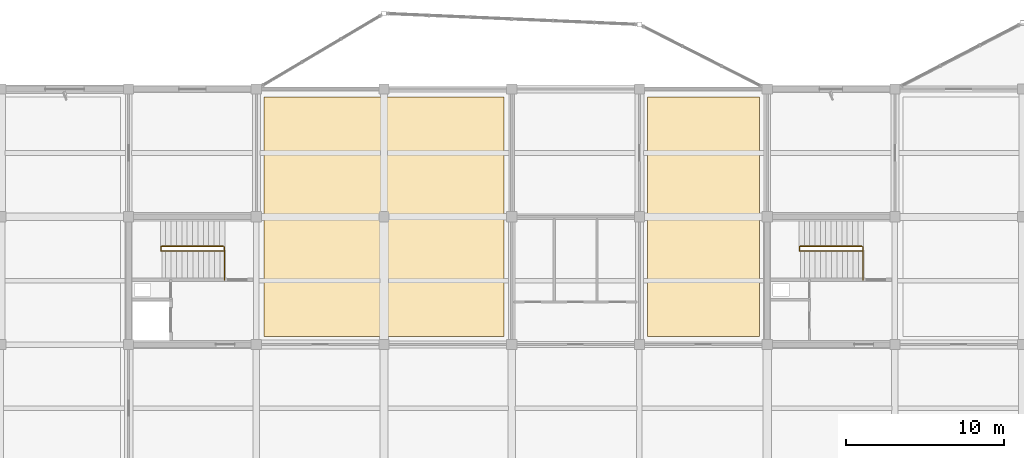
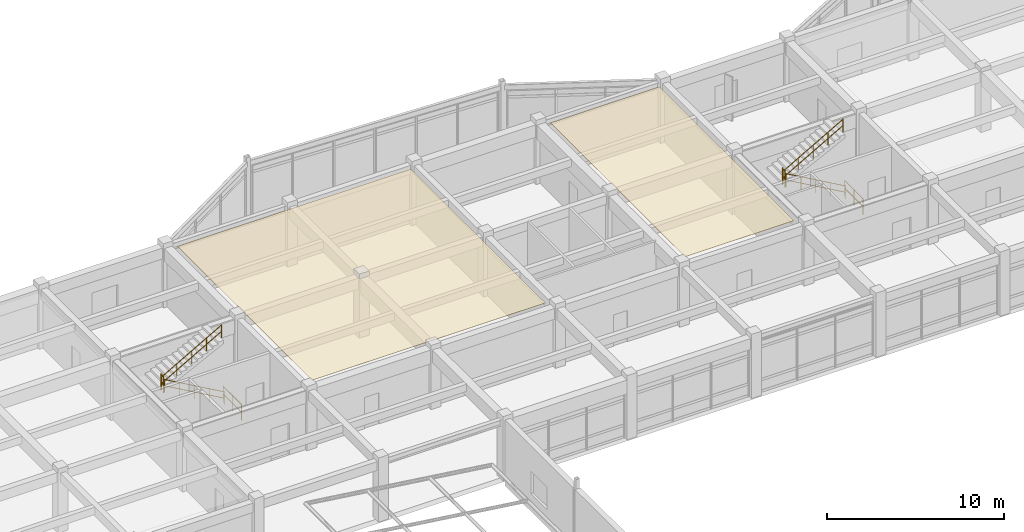
# One storey, part 84 of 89: 8 railings, 2 coverings.
"""IFC4 building model written with IfcOpenShell, lengths in metres."""

from ifc_helpers import new_model, si_unit, direction, frame, origin, origin_2d, place, context, subcontext, project, spatial, polyline, circle, outline, extrude, material, layer, layer_set, type_object, element, save


model = new_model("IFC4")

# Units and contexts
model_context = context("Model", 3, precision=1e-05, world=origin(), true_north=direction((0.0, 1.0)))
body_context = subcontext(model_context, "Body", "Model", "MODEL_VIEW")
ifc_project = project(units=[si_unit("LENGTHUNIT", "METRE"), si_unit("AREAUNIT", "SQUARE_METRE"), si_unit("VOLUMEUNIT", "CUBIC_METRE"), si_unit("PLANEANGLEUNIT", "RADIAN"), si_unit("MASSUNIT", "GRAM", prefix="KILO")], contexts=[model_context])

# Site, building, storey
site_placement = place(None, origin())
site = spatial("IfcSite", under=ifc_project, at=site_placement, CompositionType="ELEMENT")
building_placement = place(site_placement, origin())
building = spatial("IfcBuilding", under=site, at=building_placement, Name="Vaudrelin Polytechnic", CompositionType="ELEMENT")
storey_placement = place(building_placement, frame((0.0, 0.0, 9.68994140625)))
storey = spatial("IfcBuildingStorey", under=building, at=storey_placement, Name="L02", CompositionType="ELEMENT", Elevation=9.68994140625)

# Coverings
ifc_material_1 = material(Name="Mineral-fibre acoustic ceiling tile NRC 0.85", Category="ceiling")
ifc_layer = layer(ifc_material_1, 0.02490234375)
ifc_layer_set = layer_set([ifc_layer], Name="Mineral-fibre acoustic ceiling tile NRC 0.85")
covering_type = type_object("IfcCoveringType", Name="COV-CLG-ACT", PredefinedType="CEILING", material=ifc_layer_set)
covering_1_placement = place(storey_placement, frame((0.0, 0.0, 4.05517578125)))
element("IfcCovering", 1, at=covering_1_placement, inside=storey, type_object=covering_type, Name="Acoustic ceiling L02-008", PredefinedType="CEILING", context=body_context, shape_type="SweptSolid", body=[
    extrude(outline(polyline([(24.800048828125, 105.800048828125), (40.0, 105.800048828125), (40.0, 121.0), (24.800048828125, 121.0), (24.800048828125, 105.800048828125)])), origin(), (0.0, 0.0, 1.0), 0.02490234375),
])
covering_2_placement = place(storey_placement, frame((0.0, 0.0, 4.05517578125)))
element("IfcCovering", 2, at=covering_2_placement, inside=storey, type_object=covering_type, Name="Acoustic ceiling L02-009", PredefinedType="CEILING", context=body_context, shape_type="SweptSolid", body=[
    extrude(outline(polyline([(49.10009765625, 105.800048828125), (56.199951171875, 105.800048828125), (56.199951171875, 121.0), (49.10009765625, 121.0), (49.10009765625, 105.800048828125)])), origin(), (0.0, 0.0, 1.0), 0.02490234375),
])

# Railings
ifc_material_2 = material(Name="Brushed stainless steel AISI 304", Category="steel")
railing_type_1 = type_object("IfcRailingType", Name="RAL-GR-INT", PredefinedType="GUARDRAIL", material=ifc_material_2)
railing_1_placement = place(storey_placement, frame((22.280029296875, 109.409912109375, 0.0)))
element("IfcRailing", 3, at=railing_1_placement, inside=storey, type_object=railing_type_1, Name="ST-01-L01 upper well guardrail", PredefinedType="GUARDRAIL", context=body_context, shape_type="SweptSolid", body=[
    extrude(circle(Radius=0.02392578125, at=origin_2d()), frame((0.0, 0.023193359375, 1.09619140625), z_axis=(0.0, 1.0, 0.0), x_axis=(-1.0, 0.0, 0.0)), (0.0, 0.0, 1.0), 2.02392578125),
    extrude(circle(Radius=0.02392578125, at=origin_2d()), frame((0.0, 0.023193359375, 0.56005859375), z_axis=(0.0, 1.0, 0.0), x_axis=(-1.0, 0.0, 0.0)), (0.0, 0.0, 1.0), 2.02392578125),
    extrude(circle(Radius=0.02099609375, at=origin_2d()), origin(), (0.0, 0.0, 1.0), 1.1201171875),
    extrude(circle(Radius=0.02099609375, at=origin_2d()), frame((0.0, 1.03515625, 0.0)), (0.0, 0.0, 1.0), 1.1201171875),
    extrude(circle(Radius=0.02099609375, at=origin_2d()), frame((0.0, 2.070068359375, 0.0)), (0.0, 0.0, 1.0), 1.1201171875),
])
railing_2_placement = place(storey_placement, frame((18.25, 111.239990234375, 2.2099609375)))
element("IfcRailing", 4, at=railing_2_placement, inside=storey, type_object=railing_type_1, Name="ST-01-L02 landing well guardrail", PredefinedType="GUARDRAIL", context=body_context, shape_type="SweptSolid", body=[
    extrude(circle(Radius=0.02392578125, at=origin_2d()), frame((0.0, 0.023193359375, 1.09619140625), z_axis=(0.0, 1.0, 0.0), x_axis=(-1.0, 0.0, 0.0)), (0.0, 0.0, 1.0), 0.23388671875),
    extrude(circle(Radius=0.02392578125, at=origin_2d()), frame((0.0, 0.023193359375, 0.56005859375), z_axis=(0.0, 1.0, 0.0), x_axis=(-1.0, 0.0, 0.0)), (0.0, 0.0, 1.0), 0.23388671875),
    extrude(circle(Radius=0.02099609375, at=origin_2d()), origin(), (0.0, 0.0, 1.0), 1.1201171875),
    extrude(circle(Radius=0.02099609375, at=origin_2d()), frame((0.0, 0.280029296875, 0.0)), (0.0, 0.0, 1.0), 1.1201171875),
])
railing_3_placement = place(storey_placement, frame((62.780029296875, 109.409912109375, 0.0)))
element("IfcRailing", 5, at=railing_3_placement, inside=storey, type_object=railing_type_1, Name="ST-09-L01 upper well guardrail", PredefinedType="GUARDRAIL", context=body_context, shape_type="SweptSolid", body=[
    extrude(circle(Radius=0.02392578125, at=origin_2d()), frame((0.0, 0.023193359375, 1.09619140625), z_axis=(0.0, 1.0, 0.0), x_axis=(-1.0, 0.0, 0.0)), (0.0, 0.0, 1.0), 2.02392578125),
    extrude(circle(Radius=0.02392578125, at=origin_2d()), frame((0.0, 0.023193359375, 0.56005859375), z_axis=(0.0, 1.0, 0.0), x_axis=(-1.0, 0.0, 0.0)), (0.0, 0.0, 1.0), 2.02392578125),
    extrude(circle(Radius=0.02099609375, at=origin_2d()), origin(), (0.0, 0.0, 1.0), 1.1201171875),
    extrude(circle(Radius=0.02099609375, at=origin_2d()), frame((0.0, 1.03515625, 0.0)), (0.0, 0.0, 1.0), 1.1201171875),
    extrude(circle(Radius=0.02099609375, at=origin_2d()), frame((0.0, 2.070068359375, 0.0)), (0.0, 0.0, 1.0), 1.1201171875),
])
railing_4_placement = place(storey_placement, frame((58.75, 111.239990234375, 2.2099609375)))
element("IfcRailing", 6, at=railing_4_placement, inside=storey, type_object=railing_type_1, Name="ST-09-L02 landing well guardrail", PredefinedType="GUARDRAIL", context=body_context, shape_type="SweptSolid", body=[
    extrude(circle(Radius=0.02392578125, at=origin_2d()), frame((0.0, 0.023193359375, 1.09619140625), z_axis=(0.0, 1.0, 0.0), x_axis=(-1.0, 0.0, 0.0)), (0.0, 0.0, 1.0), 0.23388671875),
    extrude(circle(Radius=0.02392578125, at=origin_2d()), frame((0.0, 0.023193359375, 0.56005859375), z_axis=(0.0, 1.0, 0.0), x_axis=(-1.0, 0.0, 0.0)), (0.0, 0.0, 1.0), 0.23388671875),
    extrude(circle(Radius=0.02099609375, at=origin_2d()), origin(), (0.0, 0.0, 1.0), 1.1201171875),
    extrude(circle(Radius=0.02099609375, at=origin_2d()), frame((0.0, 0.280029296875, 0.0)), (0.0, 0.0, 1.0), 1.1201171875),
])
railing_type_2 = type_object("IfcRailingType", Name="RAL-HR-STR", PredefinedType="HANDRAIL", material=ifc_material_2)
railing_5_placement = place(storey_placement, frame((22.199951171875, 111.22998046875, 0.0)))
element("IfcRailing", 7, at=railing_5_placement, inside=storey, type_object=railing_type_2, Name="ST-01-L02 flight 1 handrail", PredefinedType="HANDRAIL", context=body_context, shape_type="SweptSolid", body=[
    extrude(circle(Radius=0.02392578125, at=origin_2d()), frame((-0.02001953125, 0.0, 0.9072265625), z_axis=(-0.86947626696, 0.0, 0.493974717161), x_axis=(0.0, -1.0, 0.0)), (0.0, 0.0, 1.0), 4.427734375),
    extrude(circle(Radius=0.02392578125, at=origin_2d()), frame((-0.02001953125, 0.0, 0.471435546875), z_axis=(-0.86947626696, 0.0, 0.493974717161), x_axis=(0.0, -1.0, 0.0)), (0.0, 0.0, 1.0), 4.427734375),
    extrude(circle(Radius=0.02099609375, at=origin_2d()), origin(), (0.0, 0.0, 1.0), 0.919921875),
    extrude(circle(Radius=0.02099609375, at=origin_2d()), frame((-0.972412109375, 0.0, 0.552490234375)), (0.0, 0.0, 1.0), 0.919921875),
    extrude(circle(Radius=0.02099609375, at=origin_2d()), frame((-1.94482421875, 0.0, 1.10498046875)), (0.0, 0.0, 1.0), 0.919921875),
    extrude(circle(Radius=0.02099609375, at=origin_2d()), frame((-2.91748046875, 0.0, 1.657470703125)), (0.0, 0.0, 1.0), 0.919921875),
    extrude(circle(Radius=0.02099609375, at=origin_2d()), frame((-3.889892578125, 0.0, 2.2099609375)), (0.0, 0.0, 1.0), 0.919921875),
])
railing_6_placement = place(storey_placement, frame((18.31005859375, 111.530029296875, 2.2099609375)))
element("IfcRailing", 8, at=railing_6_placement, inside=storey, type_object=railing_type_2, Name="ST-01-L02 flight 2 handrail", PredefinedType="HANDRAIL", context=body_context, shape_type="SweptSolid", body=[
    extrude(circle(Radius=0.02392578125, at=origin_2d()), frame((0.02001953125, 0.0, 0.9072265625), z_axis=(0.869452828501, 0.0, 0.494015970402), x_axis=(0.0, 1.0, 0.0)), (0.0, 0.0, 1.0), 4.427734375),
    extrude(circle(Radius=0.02392578125, at=origin_2d()), frame((0.02001953125, 0.0, 0.471435546875), z_axis=(0.869452828501, 0.0, 0.494015970402), x_axis=(0.0, 1.0, 0.0)), (0.0, 0.0, 1.0), 4.427734375),
    extrude(circle(Radius=0.02099609375, at=origin_2d()), origin(), (0.0, 0.0, 1.0), 0.919921875),
    extrude(circle(Radius=0.02099609375, at=origin_2d()), frame((0.972412109375, 0.0, 0.552490234375)), (0.0, 0.0, 1.0), 0.919921875),
    extrude(circle(Radius=0.02099609375, at=origin_2d()), frame((1.94482421875, 0.0, 1.10498046875)), (0.0, 0.0, 1.0), 0.919921875),
    extrude(circle(Radius=0.02099609375, at=origin_2d()), frame((2.91748046875, 0.0, 1.65771484375)), (0.0, 0.0, 1.0), 0.919921875),
    extrude(circle(Radius=0.02099609375, at=origin_2d()), frame((3.889892578125, 0.0, 2.210205078125)), (0.0, 0.0, 1.0), 0.919921875),
])
railing_7_placement = place(storey_placement, frame((62.699951171875, 111.22998046875, 0.0)))
element("IfcRailing", 9, at=railing_7_placement, inside=storey, type_object=railing_type_2, Name="ST-09-L02 flight 1 handrail", PredefinedType="HANDRAIL", context=body_context, shape_type="SweptSolid", body=[
    extrude(circle(Radius=0.02392578125, at=origin_2d()), frame((-0.02001953125, 0.0, 0.9072265625), z_axis=(-0.86947626696, 0.0, 0.493974717161), x_axis=(0.0, -1.0, 0.0)), (0.0, 0.0, 1.0), 4.427734375),
    extrude(circle(Radius=0.02392578125, at=origin_2d()), frame((-0.02001953125, 0.0, 0.471435546875), z_axis=(-0.86947626696, 0.0, 0.493974717161), x_axis=(0.0, -1.0, 0.0)), (0.0, 0.0, 1.0), 4.427734375),
    extrude(circle(Radius=0.02099609375, at=origin_2d()), origin(), (0.0, 0.0, 1.0), 0.919921875),
    extrude(circle(Radius=0.02099609375, at=origin_2d()), frame((-0.972412109375, 0.0, 0.552490234375)), (0.0, 0.0, 1.0), 0.919921875),
    extrude(circle(Radius=0.02099609375, at=origin_2d()), frame((-1.94482421875, 0.0, 1.10498046875)), (0.0, 0.0, 1.0), 0.919921875),
    extrude(circle(Radius=0.02099609375, at=origin_2d()), frame((-2.91748046875, 0.0, 1.657470703125)), (0.0, 0.0, 1.0), 0.919921875),
    extrude(circle(Radius=0.02099609375, at=origin_2d()), frame((-3.889892578125, 0.0, 2.2099609375)), (0.0, 0.0, 1.0), 0.919921875),
])
railing_8_placement = place(storey_placement, frame((58.81005859375, 111.530029296875, 2.2099609375)))
element("IfcRailing", 10, at=railing_8_placement, inside=storey, type_object=railing_type_2, Name="ST-09-L02 flight 2 handrail", PredefinedType="HANDRAIL", context=body_context, shape_type="SweptSolid", body=[
    extrude(circle(Radius=0.02392578125, at=origin_2d()), frame((0.02001953125, 0.0, 0.9072265625), z_axis=(0.869452828501, 0.0, 0.494015970402), x_axis=(0.0, 1.0, 0.0)), (0.0, 0.0, 1.0), 4.427734375),
    extrude(circle(Radius=0.02392578125, at=origin_2d()), frame((0.02001953125, 0.0, 0.471435546875), z_axis=(0.869452828501, 0.0, 0.494015970402), x_axis=(0.0, 1.0, 0.0)), (0.0, 0.0, 1.0), 4.427734375),
    extrude(circle(Radius=0.02099609375, at=origin_2d()), origin(), (0.0, 0.0, 1.0), 0.919921875),
    extrude(circle(Radius=0.02099609375, at=origin_2d()), frame((0.972412109375, 0.0, 0.552490234375)), (0.0, 0.0, 1.0), 0.919921875),
    extrude(circle(Radius=0.02099609375, at=origin_2d()), frame((1.94482421875, 0.0, 1.10498046875)), (0.0, 0.0, 1.0), 0.919921875),
    extrude(circle(Radius=0.02099609375, at=origin_2d()), frame((2.91748046875, 0.0, 1.65771484375)), (0.0, 0.0, 1.0), 0.919921875),
    extrude(circle(Radius=0.02099609375, at=origin_2d()), frame((3.889892578125, 0.0, 2.210205078125)), (0.0, 0.0, 1.0), 0.919921875),
])

save(model, "model.ifc")
